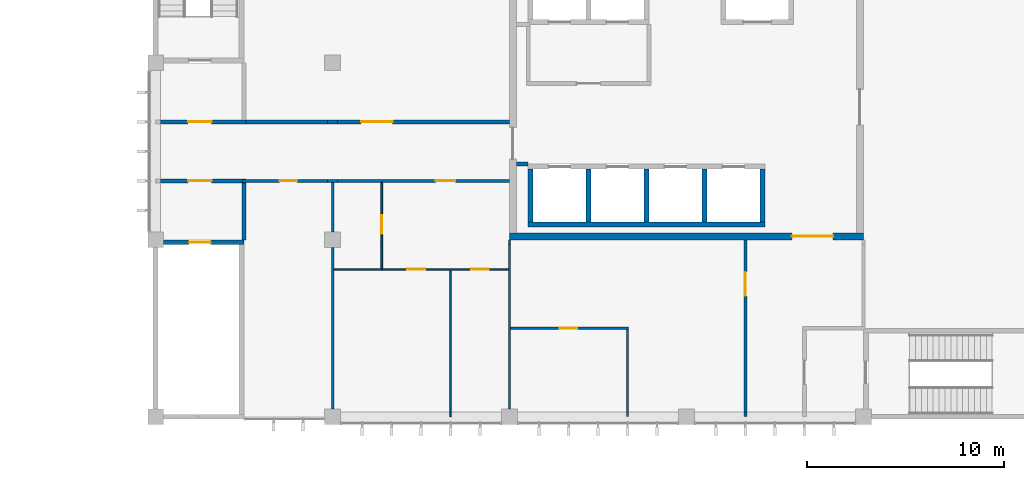
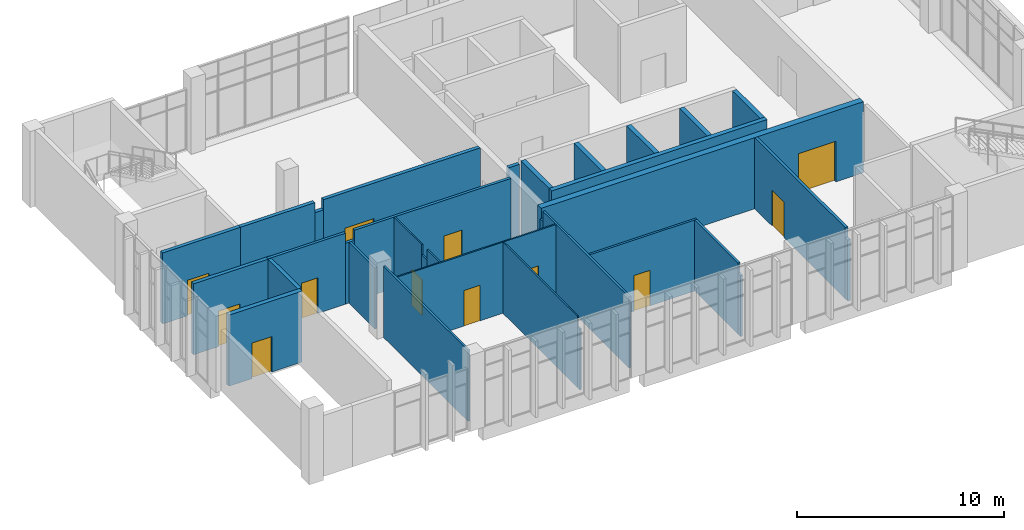
# One storey, part 13 of 19: 33 walls, 12 doors, 12 openings.
"""IFC4 building model written with IfcOpenShell, lengths in metres."""

from ifc_helpers import new_model, si_unit, direction, frame, frame_2d, origin, place, context, subcontext, project, spatial, rectangle, extrude, material, layer, layer_set, type_object, element, fill, save


model = new_model("IFC4")

# Units and contexts
model_context = context("Model", 3, precision=1e-05, world=origin(), true_north=direction((0.0, 1.0)))
body_context = subcontext(model_context, "Body", "Model", "MODEL_VIEW")
ifc_project = project(units=[si_unit("LENGTHUNIT", "METRE"), si_unit("AREAUNIT", "SQUARE_METRE"), si_unit("VOLUMEUNIT", "CUBIC_METRE"), si_unit("PLANEANGLEUNIT", "RADIAN"), si_unit("MASSUNIT", "GRAM", prefix="KILO")], contexts=[model_context])

# Site, building, storey
site_placement = place(None, origin())
site = spatial("IfcSite", under=ifc_project, at=site_placement, CompositionType="ELEMENT")
building_placement = place(site_placement, origin())
building = spatial("IfcBuilding", under=site, at=building_placement, Name="Guidao Yard Department Store", CompositionType="ELEMENT")
storey_placement = place(building_placement, frame((0.0, 0.0, 33.0)))
storey = spatial("IfcBuildingStorey", under=building, at=storey_placement, Name="L07", CompositionType="ELEMENT", Elevation=33.0)

# Wall, opening, door
ifc_material_1 = material(Name="Gypsum Board")
ifc_layer_1 = layer(ifc_material_1, 0.14990234375)
ifc_layer_set_1 = layer_set([ifc_layer_1], Name="Corridor Partition 150 Gypsum Board EI 60")
wall_type_1 = type_object("IfcWallType", Name="Corridor Partition 150 Gypsum Board EI 60", PredefinedType="PARTITIONING", material=ifc_layer_set_1)
wall_1_placement = place(storey_placement, frame((130.39990234375, 12.0, 0.0), z_axis=(0.0, 0.0, 1.0), x_axis=(1.0, 0.0, 0.0)))
wall_1 = element("IfcWall", 1, at=wall_1_placement, inside=storey, type_object=wall_type_1, Name="pt.wall.L07.0006", PredefinedType="PARTITIONING", context=body_context, shape_type="SweptSolid", body=[
    extrude(rectangle(XDim=4.35009765625, YDim=0.14990234375, at=frame_2d((2.175048828125, 0.0))), origin(), (0.0, 0.0, 1.0), 4.199951171875),
])
opening_1_placement = place(wall_1_placement, frame((2.7998046875, 0.0, 0.0), z_axis=(0.0, 0.0, 1.0), x_axis=(-1.0, 0.0, 0.0)))
opening_1 = element("IfcOpeningElement", 2, at=opening_1_placement, cuts=wall_1, Name="Opening L07-411", PredefinedType="OPENING", context=body_context, shape_type="SweptSolid", body=[
    extrude(rectangle(XDim=0.89990234375, YDim=2.10009765625, at=frame_2d((0.449951171875, 1.050048828125))), frame((0.0, 0.0849609375, 0.0), z_axis=(0.0, -1.0, 0.0), x_axis=(1.0, 0.0, 0.0)), (0.0, 0.0, 1.0), 0.169921875),
])
ifc_material_2 = material(Name="Timber door leaf with Steel Q235 frame", Category="steel")
door_type_1 = type_object("IfcDoorType", Name="Door 900 x 2100 FD30 Single Leaf", OperationType="SINGLE_SWING_LEFT", PredefinedType="DOOR", material=ifc_material_2)
door_1_placement = place(opening_1_placement, origin())
door_1 = element("IfcDoor", 3, at=door_1_placement, inside=storey, type_object=door_type_1, Name="Door L07-411", OperationType="SINGLE_SWING_LEFT", OverallHeight=2.10009765625, OverallWidth=0.89990234375, PredefinedType="DOOR", context=body_context, shape_type="SweptSolid", body=[
    extrude(rectangle(XDim=0.89990234375, YDim=2.10009765625, at=frame_2d((0.449951171875, 1.050048828125))), frame((0.0, 0.02490234375, 0.0), z_axis=(0.0, -1.0, 0.0), x_axis=(1.0, 0.0, 0.0)), (0.0, 0.0, 1.0), 0.050048828125),
])
fill(opening_1, door_1)

# Wall
wall_2_placement = place(storey_placement, frame((134.75, 12.0, 0.0), z_axis=(0.0, 0.0, 1.0), x_axis=(1.0, 0.0, 0.0)))
element("IfcWall", 4, at=wall_2_placement, inside=storey, type_object=wall_type_1, Name="pt.wall.L07.0006a", PredefinedType="PARTITIONING", context=body_context, shape_type="SweptSolid", body=[
    extrude(rectangle(XDim=0.5, YDim=0.14990234375, at=frame_2d((0.25, 0.0))), origin(), (0.0, 0.0, 1.0), 3.60009765625),
])

# Wall, opening, door
wall_3_placement = place(storey_placement, frame((135.25, 12.0, 0.0), z_axis=(0.0, 0.0, 1.0), x_axis=(1.0, 0.0, 0.0)))
wall_3 = element("IfcWall", 5, at=wall_3_placement, inside=storey, type_object=wall_type_1, Name="pt.wall.L07.0006b", PredefinedType="PARTITIONING", context=body_context, shape_type="SweptSolid", body=[
    extrude(rectangle(XDim=8.75, YDim=0.14990234375, at=frame_2d((4.375, 0.0))), origin(), (0.0, 0.0, 1.0), 4.199951171875),
])
opening_2_placement = place(wall_3_placement, frame((6.0, 0.0, 0.0), z_axis=(0.0, 0.0, 1.0), x_axis=(-1.0, 0.0, 0.0)))
opening_2 = element("IfcOpeningElement", 6, at=opening_2_placement, cuts=wall_3, Name="Opening L07-407", PredefinedType="OPENING", context=body_context, shape_type="SweptSolid", body=[
    extrude(rectangle(XDim=1.0, YDim=2.10009765625, at=frame_2d((0.5, 1.050048828125))), frame((0.0, 0.0849609375, 0.0), z_axis=(0.0, -1.0, 0.0), x_axis=(1.0, 0.0, 0.0)), (0.0, 0.0, 1.0), 0.169921875),
])
ifc_material_3 = material(Name="Timber door leaf with Steel Q235 frame", Category="steel")
door_type_2 = type_object("IfcDoorType", Name="Door 1000 x 2100 FD30 Single Leaf", OperationType="SINGLE_SWING_LEFT", PredefinedType="DOOR", material=ifc_material_3)
door_2_placement = place(opening_2_placement, origin())
door_2 = element("IfcDoor", 7, at=door_2_placement, inside=storey, type_object=door_type_2, Name="Door L07-407", OperationType="SINGLE_SWING_LEFT", OverallHeight=2.10009765625, OverallWidth=1.0, PredefinedType="DOOR", context=body_context, shape_type="SweptSolid", body=[
    extrude(rectangle(XDim=1.0, YDim=2.10009765625, at=frame_2d((0.5, 1.050048828125))), frame((0.0, 0.02490234375, 0.0), z_axis=(0.0, -1.0, 0.0), x_axis=(1.0, 0.0, 0.0)), (0.0, 0.0, 1.0), 0.050048828125),
])
fill(opening_2, door_2)

# Wall
wall_4_placement = place(storey_placement, frame((156.0, 0.0, 0.0), z_axis=(0.0, 0.0, 1.0), x_axis=(0.0, 1.0, 0.0)))
element("IfcWall", 8, at=wall_4_placement, inside=storey, type_object=wall_type_1, Name="pt.wall.L07.0025", PredefinedType="PARTITIONING", context=body_context, shape_type="SweptSolid", body=[
    extrude(rectangle(XDim=0.25, YDim=0.14990234375, at=frame_2d((0.125, 0.0))), origin(), (0.0, 0.0, 1.0), 3.60009765625),
])

# Wall, opening, door
wall_5_placement = place(storey_placement, frame((156.0, 0.25, 0.0), z_axis=(0.0, 0.0, 1.0), x_axis=(0.0, 1.0, 0.0)))
wall_5 = element("IfcWall", 9, at=wall_5_placement, inside=storey, type_object=wall_type_1, Name="pt.wall.L07.0025a", PredefinedType="PARTITIONING", context=body_context, shape_type="SweptSolid", body=[
    extrude(rectangle(XDim=8.75, YDim=0.14990234375, at=frame_2d((4.375, 0.0))), origin(), (0.0, 0.0, 1.0), 4.199951171875),
])
opening_3_placement = place(wall_5_placement, frame((5.89990234375, 0.0, 0.0)))
opening_3 = element("IfcOpeningElement", 10, at=opening_3_placement, cuts=wall_5, Name="Opening L07-413", PredefinedType="OPENING", context=body_context, shape_type="SweptSolid", body=[
    extrude(rectangle(XDim=1.199951171875, YDim=2.10009765625, at=frame_2d((0.60009765625, 1.050048828125))), frame((0.0, 0.0849609375, 0.0), z_axis=(0.0, -1.0, 0.0), x_axis=(1.0, 0.0, 0.0)), (0.0, 0.0, 1.0), 0.169921875),
])
ifc_material_4 = material(Name="Timber door leaf with Steel Q235 frame", Category="steel")
door_type_3 = type_object("IfcDoorType", Name="Door 1200 x 2100 FD30 Single Leaf", OperationType="SINGLE_SWING_LEFT", PredefinedType="DOOR", material=ifc_material_4)
door_3_placement = place(opening_3_placement, origin())
door_3 = element("IfcDoor", 11, at=door_3_placement, inside=storey, type_object=door_type_3, Name="Door L07-413", OperationType="SINGLE_SWING_RIGHT", OverallHeight=2.10009765625, OverallWidth=1.199951171875, PredefinedType="DOOR", context=body_context, shape_type="SweptSolid", body=[
    extrude(rectangle(XDim=1.199951171875, YDim=2.10009765625, at=frame_2d((0.60009765625, 1.050048828125))), frame((0.0, 0.02490234375, 0.0), z_axis=(0.0, -1.0, 0.0), x_axis=(1.0, 0.0, 0.0)), (0.0, 0.0, 1.0), 0.050048828125),
])
fill(opening_3, door_3)

# Walls
ifc_material_5 = material(Name="Autoclaved aerated concrete block A3.5 B06", Category="concrete")
ifc_layer_2 = layer(ifc_material_5, 0.199951171875)
ifc_layer_set_2 = layer_set([ifc_layer_2], Name="Fire Wall 200 Autoclaved Block EI 120")
wall_type_2 = type_object("IfcWallType", Name="Fire Wall 200 Autoclaved Block EI 120", PredefinedType="PARTITIONING", material=ifc_layer_set_2)
wall_6_placement = place(storey_placement, frame((130.39990234375, 15.0, 0.0), z_axis=(0.0, 0.0, 1.0), x_axis=(1.0, 0.0, 0.0)))
element("IfcWall", 12, at=wall_6_placement, inside=storey, type_object=wall_type_2, Name="pt.wall.L07.0009", PredefinedType="PARTITIONING", context=body_context, shape_type="SweptSolid", body=[
    extrude(rectangle(XDim=4.35009765625, YDim=0.199951171875, at=frame_2d((2.175048828125, 0.0))), origin(), (0.0, 0.0, 1.0), 4.199951171875),
])
wall_7_placement = place(storey_placement, frame((134.75, 15.0, 0.0), z_axis=(0.0, 0.0, 1.0), x_axis=(1.0, 0.0, 0.0)))
element("IfcWall", 13, at=wall_7_placement, inside=storey, type_object=wall_type_2, Name="pt.wall.L07.0009a", PredefinedType="PARTITIONING", context=body_context, shape_type="SweptSolid", body=[
    extrude(rectangle(XDim=0.5, YDim=0.199951171875, at=frame_2d((0.25, 0.0))), origin(), (0.0, 0.0, 1.0), 3.60009765625),
])

# Wall, opening, door
wall_8_placement = place(storey_placement, frame((135.25, 15.0, 0.0), z_axis=(0.0, 0.0, 1.0), x_axis=(1.0, 0.0, 0.0)))
wall_8 = element("IfcWall", 14, at=wall_8_placement, inside=storey, type_object=wall_type_2, Name="pt.wall.L07.0009b", PredefinedType="PARTITIONING", context=body_context, shape_type="SweptSolid", body=[
    extrude(rectangle(XDim=8.75, YDim=0.199951171875, at=frame_2d((4.375, 0.0))), origin(), (0.0, 0.0, 1.0), 4.199951171875),
])
opening_4_placement = place(wall_8_placement, frame((1.199951171875, 0.0, 0.0)))
opening_4 = element("IfcOpeningElement", 15, at=opening_4_placement, cuts=wall_8, Name="Opening L07-412", PredefinedType="OPENING", context=body_context, shape_type="SweptSolid", body=[
    extrude(rectangle(XDim=1.60009765625, YDim=2.10009765625, at=frame_2d((0.800048828125, 1.050048828125))), frame((0.0, 0.10986328125, 0.0), z_axis=(0.0, -1.0, 0.0), x_axis=(1.0, 0.0, 0.0)), (0.0, 0.0, 1.0), 0.219970703125),
])
ifc_material_6 = material(Name="Timber door leaf with Steel Q235 frame", Category="steel")
door_type_4 = type_object("IfcDoorType", Name="Door 1600 x 2100 FD60 Double Leaf", OperationType="DOUBLE_DOOR_SINGLE_SWING", PredefinedType="DOOR", material=ifc_material_6)
door_4_placement = place(opening_4_placement, origin())
door_4 = element("IfcDoor", 16, at=door_4_placement, inside=storey, type_object=door_type_4, Name="Door L07-412", OperationType="DOUBLE_DOOR_SINGLE_SWING", OverallHeight=2.10009765625, OverallWidth=1.60009765625, PredefinedType="DOOR", context=body_context, shape_type="SweptSolid", body=[
    extrude(rectangle(XDim=1.60009765625, YDim=2.10009765625, at=frame_2d((0.800048828125, 1.050048828125))), frame((0.0, 0.02490234375, 0.0), z_axis=(0.0, -1.0, 0.0), x_axis=(1.0, 0.0, 0.0)), (0.0, 0.0, 1.0), 0.050048828125),
])
fill(opening_4, door_4)

ifc_material_7 = material(Name="Gypsum Board")
ifc_layer_3 = layer(ifc_material_7, 0.1201171875)
ifc_layer_set_3 = layer_set([ifc_layer_3], Name="Partition 120 Gypsum Board EI 45")
wall_type_3 = type_object("IfcWallType", Name="Partition 120 Gypsum Board EI 45", PredefinedType="PARTITIONING", material=ifc_layer_set_3)
wall_9_placement = place(storey_placement, frame((144.06005859375, 4.5, 0.0), z_axis=(0.0, 0.0, 1.0), x_axis=(1.0, 0.0, 0.0)))
wall_9 = element("IfcWall", 17, at=wall_9_placement, inside=storey, type_object=wall_type_3, Name="pt.wall.L07.0001", PredefinedType="PARTITIONING", context=body_context, shape_type="SweptSolid", body=[
    extrude(rectangle(XDim=6.0, YDim=0.1201171875, at=frame_2d((3.0, 0.0))), origin(), (0.0, 0.0, 1.0), 4.199951171875),
])
opening_5_placement = place(wall_9_placement, frame((3.389892578125, 0.0, 0.0), z_axis=(0.0, 0.0, 1.0), x_axis=(-1.0, 0.0, 0.0)))
opening_5 = element("IfcOpeningElement", 18, at=opening_5_placement, cuts=wall_9, Name="Opening L07-414", PredefinedType="OPENING", context=body_context, shape_type="SweptSolid", body=[
    extrude(rectangle(XDim=0.89990234375, YDim=2.10009765625, at=frame_2d((0.449951171875, 1.050048828125))), frame((0.0, 0.070068359375, 0.0), z_axis=(0.0, -1.0, 0.0), x_axis=(1.0, 0.0, 0.0)), (0.0, 0.0, 1.0), 0.14013671875),
])
ifc_material_8 = material(Name="Timber door leaf with Steel Q235 frame", Category="steel")
door_type_5 = type_object("IfcDoorType", Name="Door 900 x 2100 NOT RATED Single Leaf", OperationType="SINGLE_SWING_LEFT", PredefinedType="DOOR", material=ifc_material_8)
door_5_placement = place(opening_5_placement, origin())
door_5 = element("IfcDoor", 19, at=door_5_placement, inside=storey, type_object=door_type_5, Name="Door L07-414", OperationType="SINGLE_SWING_RIGHT", OverallHeight=2.10009765625, OverallWidth=0.89990234375, PredefinedType="DOOR", context=body_context, shape_type="SweptSolid", body=[
    extrude(rectangle(XDim=0.89990234375, YDim=2.10009765625, at=frame_2d((0.449951171875, 1.050048828125))), frame((0.0, 0.02490234375, 0.0), z_axis=(0.0, -1.0, 0.0), x_axis=(1.0, 0.0, 0.0)), (0.0, 0.0, 1.0), 0.050048828125),
])
fill(opening_5, door_5)

# Walls
wall_10_placement = place(storey_placement, frame((135.0, 0.39990234375, 0.0), z_axis=(0.0, 0.0, 1.0), x_axis=(0.0, 1.0, 0.0)))
element("IfcWall", 20, at=wall_10_placement, inside=storey, type_object=wall_type_3, Name="pt.wall.L07.0016", PredefinedType="PARTITIONING", context=body_context, shape_type="SweptSolid", body=[
    extrude(rectangle(XDim=8.2001953125, YDim=0.1201171875, at=frame_2d((4.10009765625, 0.0))), origin(), (0.0, 0.0, 1.0), 4.199951171875),
])
wall_11_placement = place(storey_placement, frame((135.0, 9.39990234375, 0.0), z_axis=(0.0, 0.0, 1.0), x_axis=(0.0, 1.0, 0.0)))
element("IfcWall", 21, at=wall_11_placement, inside=storey, type_object=wall_type_3, Name="pt.wall.L07.0017", PredefinedType="PARTITIONING", context=body_context, shape_type="SweptSolid", body=[
    extrude(rectangle(XDim=2.525146484375, YDim=0.1201171875, at=frame_2d((1.2626953125, 0.0))), origin(), (0.0, 0.0, 1.0), 3.60009765625),
])
wall_12_placement = place(storey_placement, frame((144.0, 0.39990234375, 0.0), z_axis=(0.0, 0.0, 1.0), x_axis=(0.0, 1.0, 0.0)))
element("IfcWall", 22, at=wall_12_placement, inside=storey, type_object=wall_type_3, Name="pt.wall.L07.0020", PredefinedType="PARTITIONING", context=body_context, shape_type="SweptSolid", body=[
    extrude(rectangle(XDim=8.35009765625, YDim=0.1201171875, at=frame_2d((4.175048828125, 0.0))), origin(), (0.0, 0.0, 1.0), 4.199951171875),
])
for number, where, z_axis, x_axis, name in (
    (23, (144.0, 8.75, 0.0), (0.0, 0.0, 1.0), (0.0, 1.0, 0.0), "pt.wall.L07.0020a"),
    (24, (150.0, 0.0, 0.0), (0.0, 0.0, 1.0), (0.0, 1.0, 0.0), "pt.wall.L07.0023"),
):
    element("IfcWall", number, at=place(storey_placement, frame(where, z_axis=z_axis, x_axis=x_axis)), inside=storey, type_object=wall_type_3, Name=name, PredefinedType="PARTITIONING", context=body_context, shape_type="SweptSolid", body=[
        extrude(rectangle(XDim=0.25, YDim=0.1201171875, at=frame_2d((0.125, 0.0))), origin(), (0.0, 0.0, 1.0), 3.60009765625),
    ])
wall_13_placement = place(storey_placement, frame((150.0, 0.25, 0.0), z_axis=(0.0, 0.0, 1.0), x_axis=(0.0, 1.0, 0.0)))
element("IfcWall", 25, at=wall_13_placement, inside=storey, type_object=wall_type_3, Name="pt.wall.L07.0023a", PredefinedType="PARTITIONING", context=body_context, shape_type="SweptSolid", body=[
    extrude(rectangle(XDim=4.18994140625, YDim=0.1201171875, at=frame_2d((2.094970703125, 0.0))), origin(), (0.0, 0.0, 1.0), 4.199951171875),
])

# Wall, openings, doors
ifc_material_9 = material(Name="Gypsum Board")
ifc_layer_4 = layer(ifc_material_9, 0.080078125)
ifc_layer_set_4 = layer_set([ifc_layer_4], Name="Sanitary Partition 80 Gypsum Board EI 45")
wall_type_4 = type_object("IfcWallType", Name="Sanitary Partition 80 Gypsum Board EI 45", PredefinedType="PARTITIONING", material=ifc_layer_set_4)
wall_14_placement = place(storey_placement, frame((135.06005859375, 7.5, 0.0), z_axis=(0.0, 0.0, 1.0), x_axis=(1.0, 0.0, 0.0)))
wall_14 = element("IfcWall", 26, at=wall_14_placement, inside=storey, type_object=wall_type_4, Name="pt.wall.L07.0003", PredefinedType="PARTITIONING", context=body_context, shape_type="SweptSolid", body=[
    extrude(rectangle(XDim=8.8798828125, YDim=0.080078125, at=frame_2d((4.43994140625, 0.0))), origin(), (0.0, 0.0, 1.0), 4.199951171875),
])
opening_6_placement = place(wall_14_placement, frame((4.639892578125, 0.0, 0.0), z_axis=(0.0, 0.0, 1.0), x_axis=(-1.0, 0.0, 0.0)))
opening_6 = element("IfcOpeningElement", 27, at=opening_6_placement, cuts=wall_14, Name="Opening L07-409", PredefinedType="OPENING", context=body_context, shape_type="SweptSolid", body=[
    extrude(rectangle(XDim=0.89990234375, YDim=2.10009765625, at=frame_2d((0.449951171875, 1.050048828125))), frame((0.0, 0.050048828125, 0.0), z_axis=(0.0, -1.0, 0.0), x_axis=(1.0, 0.0, 0.0)), (0.0, 0.0, 1.0), 0.10009765625),
])
opening_7_placement = place(wall_14_placement, frame((7.889892578125, 0.0, 0.0), z_axis=(0.0, 0.0, 1.0), x_axis=(-1.0, 0.0, 0.0)))
opening_7 = element("IfcOpeningElement", 28, at=opening_7_placement, cuts=wall_14, Name="Opening L07-410", PredefinedType="OPENING", context=body_context, shape_type="SweptSolid", body=[
    extrude(rectangle(XDim=0.89990234375, YDim=2.10009765625, at=frame_2d((0.449951171875, 1.050048828125))), frame((0.0, 0.050048828125, 0.0), z_axis=(0.0, -1.0, 0.0), x_axis=(1.0, 0.0, 0.0)), (0.0, 0.0, 1.0), 0.10009765625),
])
door_6_placement = place(opening_6_placement, origin())
door_6 = element("IfcDoor", 29, at=door_6_placement, inside=storey, type_object=door_type_5, Name="Door L07-409", OperationType="SINGLE_SWING_RIGHT", OverallHeight=2.10009765625, OverallWidth=0.89990234375, PredefinedType="DOOR", context=body_context, shape_type="SweptSolid", body=[
    extrude(rectangle(XDim=0.89990234375, YDim=2.10009765625, at=frame_2d((0.449951171875, 1.050048828125))), frame((0.0, 0.02490234375, 0.0), z_axis=(0.0, -1.0, 0.0), x_axis=(1.0, 0.0, 0.0)), (0.0, 0.0, 1.0), 0.050048828125),
])
fill(opening_6, door_6)
door_7_placement = place(opening_7_placement, origin())
door_7 = element("IfcDoor", 30, at=door_7_placement, inside=storey, type_object=door_type_5, Name="Door L07-410", OperationType="SINGLE_SWING_LEFT", OverallHeight=2.10009765625, OverallWidth=0.89990234375, PredefinedType="DOOR", context=body_context, shape_type="SweptSolid", body=[
    extrude(rectangle(XDim=0.89990234375, YDim=2.10009765625, at=frame_2d((0.449951171875, 1.050048828125))), frame((0.0, 0.02490234375, 0.0), z_axis=(0.0, -1.0, 0.0), x_axis=(1.0, 0.0, 0.0)), (0.0, 0.0, 1.0), 0.050048828125),
])
fill(opening_7, door_7)

# Walls
wall_15_placement = place(storey_placement, frame((137.5, 7.5400390625, 0.0), z_axis=(0.0, 0.0, 1.0), x_axis=(0.0, 1.0, 0.0)))
element("IfcWall", 31, at=wall_15_placement, inside=storey, type_object=wall_type_4, Name="pt.wall.L07.0018", PredefinedType="PARTITIONING", context=body_context, shape_type="SweptSolid", body=[
    extrude(rectangle(XDim=1.2099609375, YDim=0.080078125, at=frame_2d((0.60498046875, 0.0))), origin(), (0.0, 0.0, 1.0), 4.199951171875),
])
wall_16_placement = place(storey_placement, frame((137.5, 8.75, 0.0), z_axis=(0.0, 0.0, 1.0), x_axis=(0.0, 1.0, 0.0)))
element("IfcWall", 32, at=wall_16_placement, inside=storey, type_object=wall_type_4, Name="pt.wall.L07.0018a", PredefinedType="PARTITIONING", context=body_context, shape_type="SweptSolid", body=[
    extrude(rectangle(XDim=0.5, YDim=0.080078125, at=frame_2d((0.25, 0.0))), origin(), (0.0, 0.0, 1.0), 3.60009765625),
])

# Wall, opening, door
wall_17_placement = place(storey_placement, frame((137.5, 9.25, 0.0), z_axis=(0.0, 0.0, 1.0), x_axis=(0.0, 1.0, 0.0)))
wall_17 = element("IfcWall", 33, at=wall_17_placement, inside=storey, type_object=wall_type_4, Name="pt.wall.L07.0018b", PredefinedType="PARTITIONING", context=body_context, shape_type="SweptSolid", body=[
    extrude(rectangle(XDim=2.675048828125, YDim=0.080078125, at=frame_2d((1.33740234375, 0.0))), origin(), (0.0, 0.0, 1.0), 4.199951171875),
])
opening_8_placement = place(wall_17_placement, origin())
opening_8 = element("IfcOpeningElement", 34, at=opening_8_placement, cuts=wall_17, Name="Opening L07-408", PredefinedType="OPENING", context=body_context, shape_type="SweptSolid", body=[
    extrude(rectangle(XDim=1.0, YDim=2.10009765625, at=frame_2d((0.5, 1.050048828125))), frame((0.0, 0.050048828125, 0.0), z_axis=(0.0, -1.0, 0.0), x_axis=(1.0, 0.0, 0.0)), (0.0, 0.0, 1.0), 0.10009765625),
])
ifc_material_10 = material(Name="Timber door leaf with Steel Q235 frame", Category="steel")
door_type_6 = type_object("IfcDoorType", Name="Door 1000 x 2100 NOT RATED Single Leaf", OperationType="SINGLE_SWING_LEFT", PredefinedType="DOOR", material=ifc_material_10)
door_8_placement = place(opening_8_placement, origin())
door_8 = element("IfcDoor", 35, at=door_8_placement, inside=storey, type_object=door_type_6, Name="Door L07-408", OperationType="SINGLE_SWING_LEFT", OverallHeight=2.10009765625, OverallWidth=1.0, PredefinedType="DOOR", context=body_context, shape_type="SweptSolid", body=[
    extrude(rectangle(XDim=1.0, YDim=2.10009765625, at=frame_2d((0.5, 1.050048828125))), frame((0.0, 0.02490234375, 0.0), z_axis=(0.0, -1.0, 0.0), x_axis=(1.0, 0.0, 0.0)), (0.0, 0.0, 1.0), 0.050048828125),
])
fill(opening_8, door_8)

# Walls
wall_18_placement = place(storey_placement, frame((141.0, 0.0, 0.0), z_axis=(0.0, 0.0, 1.0), x_axis=(0.0, 1.0, 0.0)))
element("IfcWall", 36, at=wall_18_placement, inside=storey, type_object=wall_type_4, Name="pt.wall.L07.0019", PredefinedType="PARTITIONING", context=body_context, shape_type="SweptSolid", body=[
    extrude(rectangle(XDim=0.25, YDim=0.080078125, at=frame_2d((0.125, 0.0))), origin(), (0.0, 0.0, 1.0), 3.60009765625),
])
wall_19_placement = place(storey_placement, frame((141.0, 0.25, 0.0), z_axis=(0.0, 0.0, 1.0), x_axis=(0.0, 1.0, 0.0)))
element("IfcWall", 37, at=wall_19_placement, inside=storey, type_object=wall_type_4, Name="pt.wall.L07.0019a", PredefinedType="PARTITIONING", context=body_context, shape_type="SweptSolid", body=[
    extrude(rectangle(XDim=7.2099609375, YDim=0.080078125, at=frame_2d((3.60498046875, 0.0))), origin(), (0.0, 0.0, 1.0), 4.199951171875),
])

# Wall, opening, door
ifc_material_11 = material(Name="Autoclaved aerated concrete block A3.5 B06", Category="concrete")
ifc_layer_5 = layer(ifc_material_11, 0.199951171875)
ifc_layer_set_5 = layer_set([ifc_layer_5], Name="Shaft Wall 200 Autoclaved Block EI 120")
wall_type_5 = type_object("IfcWallType", Name="Shaft Wall 200 Autoclaved Block EI 120", PredefinedType="PARTITIONING", material=ifc_layer_set_5)
wall_20_placement = place(storey_placement, frame((126.25, 12.0, 0.0), z_axis=(0.0, 0.0, 1.0), x_axis=(1.0, 0.0, 0.0)))
wall_20 = element("IfcWall", 38, at=wall_20_placement, inside=storey, type_object=wall_type_5, Name="pt.wall.L07.0005a", PredefinedType="PARTITIONING", context=body_context, shape_type="SweptSolid", body=[
    extrude(rectangle(XDim=4.35009765625, YDim=0.199951171875, at=frame_2d((2.175048828125, 0.0))), origin(), (0.0, 0.0, 1.0), 4.199951171875),
])
opening_9_placement = place(wall_20_placement, frame((2.599853515625, 0.0, 0.0), z_axis=(0.0, 0.0, 1.0), x_axis=(-1.0, 0.0, 0.0)))
opening_9 = element("IfcOpeningElement", 39, at=opening_9_placement, cuts=wall_20, Name="Opening L07-401", PredefinedType="OPENING", context=body_context, shape_type="SweptSolid", body=[
    extrude(rectangle(XDim=1.199951171875, YDim=2.10009765625, at=frame_2d((0.60009765625, 1.050048828125))), frame((0.0, 0.10986328125, 0.0), z_axis=(0.0, -1.0, 0.0), x_axis=(1.0, 0.0, 0.0)), (0.0, 0.0, 1.0), 0.219970703125),
])
ifc_material_12 = material(Name="Timber door leaf with Steel Q235 frame", Category="steel")
door_type_7 = type_object("IfcDoorType", Name="Door 1200 x 2100 FD60 Single Leaf", OperationType="SINGLE_SWING_LEFT", PredefinedType="DOOR", material=ifc_material_12)
door_9_placement = place(opening_9_placement, origin())
door_9 = element("IfcDoor", 40, at=door_9_placement, inside=storey, type_object=door_type_7, Name="Door L07-401", OperationType="SINGLE_SWING_RIGHT", OverallHeight=2.10009765625, OverallWidth=1.199951171875, PredefinedType="DOOR", context=body_context, shape_type="SweptSolid", body=[
    extrude(rectangle(XDim=1.199951171875, YDim=2.10009765625, at=frame_2d((0.60009765625, 1.050048828125))), frame((0.0, 0.02490234375, 0.0), z_axis=(0.0, -1.0, 0.0), x_axis=(1.0, 0.0, 0.0)), (0.0, 0.0, 1.0), 0.050048828125),
])
fill(opening_9, door_9)

# Wall
wall_21_placement = place(storey_placement, frame((144.35009765625, 12.85009765625, 0.0), z_axis=(0.0, 0.0, 1.0), x_axis=(1.0, 0.0, 0.0)))
element("IfcWall", 41, at=wall_21_placement, inside=storey, type_object=wall_type_5, Name="pt.wall.L07.0007", PredefinedType="PARTITIONING", context=body_context, shape_type="SweptSolid", body=[
    extrude(rectangle(XDim=0.599853515625, YDim=0.199951171875, at=frame_2d((0.2998046875, 0.0))), origin(), (0.0, 0.0, 1.0), 4.199951171875),
])

# Wall, opening, door
wall_22_placement = place(storey_placement, frame((126.25, 15.0, 0.0), z_axis=(0.0, 0.0, 1.0), x_axis=(1.0, 0.0, 0.0)))
wall_22 = element("IfcWall", 42, at=wall_22_placement, inside=storey, type_object=wall_type_5, Name="pt.wall.L07.0008a", PredefinedType="PARTITIONING", context=body_context, shape_type="SweptSolid", body=[
    extrude(rectangle(XDim=4.35009765625, YDim=0.199951171875, at=frame_2d((2.175048828125, 0.0))), origin(), (0.0, 0.0, 1.0), 4.199951171875),
])
opening_10_placement = place(wall_22_placement, frame((1.39990234375, 0.0, 0.0)))
opening_10 = element("IfcOpeningElement", 43, at=opening_10_placement, cuts=wall_22, Name="Opening L07-403", PredefinedType="OPENING", context=body_context, shape_type="SweptSolid", body=[
    extrude(rectangle(XDim=1.199951171875, YDim=2.10009765625, at=frame_2d((0.60009765625, 1.050048828125))), frame((0.0, 0.10986328125, 0.0), z_axis=(0.0, -1.0, 0.0), x_axis=(1.0, 0.0, 0.0)), (0.0, 0.0, 1.0), 0.219970703125),
])
door_10_placement = place(opening_10_placement, origin())
door_10 = element("IfcDoor", 44, at=door_10_placement, inside=storey, type_object=door_type_7, Name="Door L07-403", OperationType="SINGLE_SWING_LEFT", OverallHeight=2.10009765625, OverallWidth=1.199951171875, PredefinedType="DOOR", context=body_context, shape_type="SweptSolid", body=[
    extrude(rectangle(XDim=1.199951171875, YDim=2.10009765625, at=frame_2d((0.60009765625, 1.050048828125))), frame((0.0, 0.02490234375, 0.0), z_axis=(0.0, -1.0, 0.0), x_axis=(1.0, 0.0, 0.0)), (0.0, 0.0, 1.0), 0.050048828125),
])
fill(opening_10, door_10)

# Wall
wall_23_placement = place(storey_placement, frame((130.5, 9.0, 0.0), z_axis=(0.0, 0.0, 1.0), x_axis=(0.0, 1.0, 0.0)))
element("IfcWall", 45, at=wall_23_placement, inside=storey, type_object=wall_type_5, Name="pt.wall.L07.0014", PredefinedType="PARTITIONING", context=body_context, shape_type="SweptSolid", body=[
    extrude(rectangle(XDim=2.89990234375, YDim=0.199951171875, at=frame_2d((1.449951171875, 0.0))), origin(), (0.0, 0.0, 1.0), 4.199951171875),
])

# Wall, opening, door
ifc_material_13 = material(Name="Concrete C50", Category="concrete")
ifc_layer_6 = layer(ifc_material_13, 0.35009765625)
ifc_layer_set_6 = layer_set([ifc_layer_6], Name="Shear Wall 350 Concrete C50")
wall_type_6 = type_object("IfcWallType", Name="Shear Wall 350 Concrete C50", PredefinedType="SHEAR", material=ifc_layer_set_6)
wall_24_placement = place(storey_placement, frame((144.0, 9.175048828125, 0.0), z_axis=(0.0, 0.0, 1.0), x_axis=(1.0, 0.0, 0.0)))
wall_24 = element("IfcWall", 46, at=wall_24_placement, inside=storey, type_object=wall_type_6, Name="pt.wall.L07.0004", PredefinedType="SHEAR", context=body_context, shape_type="SweptSolid", body=[
    extrude(rectangle(XDim=18.0, YDim=0.35009765625, at=frame_2d((9.0, 0.0))), origin(), (0.0, 0.0, 1.0), 4.199951171875),
])
opening_11_placement = place(wall_24_placement, frame((16.462646484375, 0.0, 0.0), z_axis=(0.0, 0.0, 1.0), x_axis=(-1.0, 0.0, 0.0)))
opening_11 = element("IfcOpeningElement", 47, at=opening_11_placement, cuts=wall_24, Name="Opening L07-406", PredefinedType="OPENING", context=body_context, shape_type="SweptSolid", body=[
    extrude(rectangle(XDim=2.10009765625, YDim=2.39990234375, at=frame_2d((1.050048828125, 1.199951171875))), frame((0.0, 0.18505859375, 0.0), z_axis=(0.0, -1.0, 0.0), x_axis=(1.0, 0.0, 0.0)), (0.0, 0.0, 1.0), 0.3701171875),
])
ifc_material_14 = material(Name="Timber door leaf with Steel Q235 frame", Category="steel")
door_type_8 = type_object("IfcDoorType", Name="Door 2100 x 2400 FD60 Double Leaf", OperationType="DOUBLE_DOOR_SINGLE_SWING", PredefinedType="DOOR", material=ifc_material_14)
door_11_placement = place(opening_11_placement, origin())
door_11 = element("IfcDoor", 48, at=door_11_placement, inside=storey, type_object=door_type_8, Name="Door L07-406", OperationType="DOUBLE_DOOR_SINGLE_SWING", OverallHeight=2.39990234375, OverallWidth=2.10009765625, PredefinedType="DOOR", context=body_context, shape_type="SweptSolid", body=[
    extrude(rectangle(XDim=2.10009765625, YDim=2.39990234375, at=frame_2d((1.050048828125, 1.199951171875))), frame((0.0, 0.02490234375, 0.0), z_axis=(0.0, -1.0, 0.0), x_axis=(1.0, 0.0, 0.0)), (0.0, 0.0, 1.0), 0.050048828125),
])
fill(opening_11, door_11)

ifc_material_15 = material(Name="Concrete C40", Category="concrete")
ifc_layer_7 = layer(ifc_material_15, 0.25)
ifc_layer_set_7 = layer_set([ifc_layer_7], Name="Wall RC 250 C40 stair and shaft")
wall_type_7 = type_object("IfcWallType", Name="Wall RC 250 C40 stair and shaft", PredefinedType="SHEAR", material=ifc_layer_set_7)
wall_25_placement = place(storey_placement, frame((126.39990234375, 8.875, 0.0), z_axis=(0.0, 0.0, 1.0), x_axis=(1.0, 0.0, 0.0)))
wall_25 = element("IfcWall", 49, at=wall_25_placement, inside=storey, type_object=wall_type_7, Name="Stair wall SO1", PredefinedType="SHEAR", context=body_context, shape_type="SweptSolid", body=[
    extrude(rectangle(XDim=4.10009765625, YDim=0.25, at=frame_2d((2.050048828125, 0.0))), origin(), (0.0, 0.0, 1.0), 4.199951171875),
])
opening_12_placement = place(wall_25_placement, frame((2.400146484375, 0.0, 0.0), z_axis=(0.0, 0.0, 1.0), x_axis=(-1.0, 0.0, 0.0)))
opening_12 = element("IfcOpeningElement", 50, at=opening_12_placement, cuts=wall_25, Name="Opening L07-800", PredefinedType="OPENING", context=body_context, shape_type="SweptSolid", body=[
    extrude(rectangle(XDim=1.10009765625, YDim=2.10009765625, at=frame_2d((0.550048828125, 1.050048828125))), frame((0.0, 0.135009765625, 0.0), z_axis=(0.0, -1.0, 0.0), x_axis=(1.0, 0.0, 0.0)), (0.0, 0.0, 1.0), 0.27001953125),
])
ifc_material_16 = material(Name="Steel Q235", Category="steel")
door_type_9 = type_object("IfcDoorType", Name="Door fire-resisting 1100 x 2100 FD60", OperationType="SINGLE_SWING_LEFT", PredefinedType="DOOR", material=ifc_material_16)
door_12_placement = place(opening_12_placement, origin())
door_12 = element("IfcDoor", 51, at=door_12_placement, inside=storey, type_object=door_type_9, Name="Stair O1 door L07", OperationType="SINGLE_SWING_RIGHT", OverallHeight=2.10009765625, OverallWidth=1.10009765625, PredefinedType="DOOR", context=body_context, shape_type="SweptSolid", body=[
    extrude(rectangle(XDim=1.10009765625, YDim=2.10009765625, at=frame_2d((0.550048828125, 1.050048828125))), frame((0.0, 0.02490234375, 0.0), z_axis=(0.0, -1.0, 0.0), x_axis=(1.0, 0.0, 0.0)), (0.0, 0.0, 1.0), 0.050048828125),
])
fill(opening_12, door_12)

# Walls
wall_26_placement = place(storey_placement, frame((144.949951171875, 9.77490234375, 0.0), z_axis=(0.0, 0.0, 1.0), x_axis=(1.0, 0.0, 0.0)))
element("IfcWall", 52, at=wall_26_placement, inside=storey, type_object=wall_type_7, Name="Lift shaft wall OL1 to OL4", PredefinedType="SHEAR", context=body_context, shape_type="SweptSolid", body=[
    extrude(rectangle(XDim=12.050048828125, YDim=0.25, at=frame_2d((6.02490234375, 0.0))), origin(), (0.0, 0.0, 1.0), 4.5),
])
for number, where, z_axis, x_axis, name in (
    (53, (145.074951171875, 9.89990234375, 0.0), (0.0, 0.0, 1.0), (0.0, 1.0, 0.0), "Lift shaft wall OL1 to OL4"),
    (54, (148.02490234375, 9.89990234375, 0.0), (0.0, 0.0, 1.0), (0.0, 1.0, 0.0), "Lift shaft wall OL1 to OL4"),
    (55, (150.97509765625, 9.89990234375, 0.0), (0.0, 0.0, 1.0), (0.0, 1.0, 0.0), "Lift shaft wall OL1 to OL4"),
    (56, (153.925048828125, 9.89990234375, 0.0), (0.0, 0.0, 1.0), (0.0, 1.0, 0.0), "Lift shaft wall OL1 to OL4"),
    (57, (156.875, 9.89990234375, 0.0), (0.0, 0.0, 1.0), (0.0, 1.0, 0.0), "Lift shaft wall OL1 to OL4"),
):
    element("IfcWall", number, at=place(storey_placement, frame(where, z_axis=z_axis, x_axis=x_axis)), inside=storey, type_object=wall_type_7, Name=name, PredefinedType="SHEAR", context=body_context, shape_type="SweptSolid", body=[
        extrude(rectangle(XDim=2.7001953125, YDim=0.25, at=frame_2d((1.35009765625, 0.0))), origin(), (0.0, 0.0, 1.0), 4.5),
    ])

save(model, "model.ifc")
